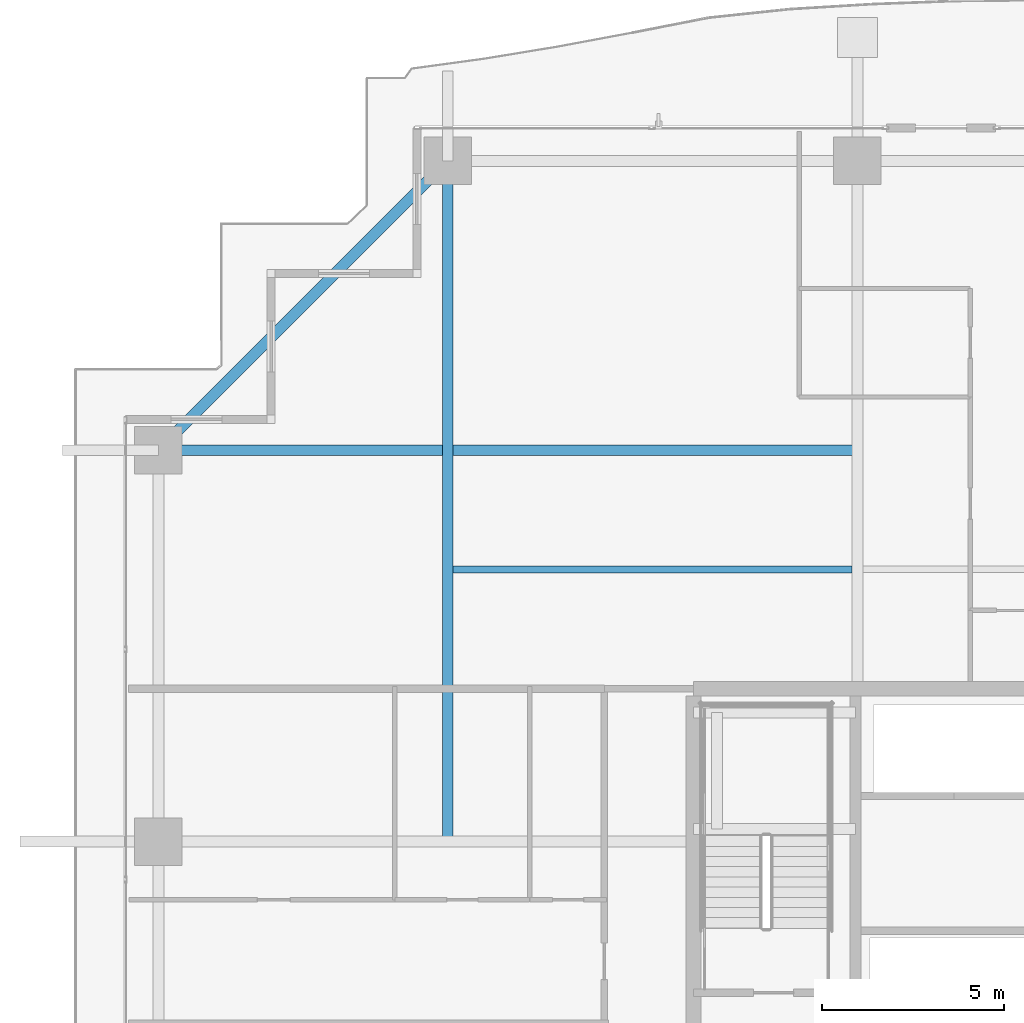
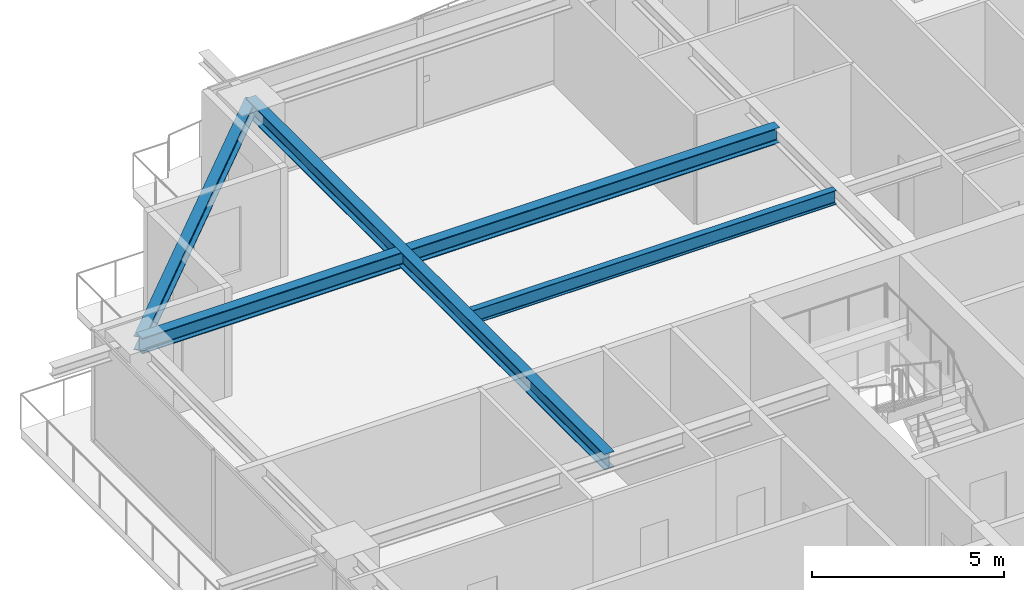
# One storey, part 16 of 34: 4 beams.
"""IFC4 building model written with IfcOpenShell, lengths in metres."""

from ifc_helpers import new_model, si_unit, direction, frame, origin, origin_2d, place, context, subcontext, project, spatial, i_section, extrude, source, transform, mapped, material, material_profile, profile_set, type_object, element, save


model = new_model("IFC4")

# Units and contexts
model_context = context("Model", 3, precision=1e-05, world=origin(), true_north=direction((0.0, 1.0)))
body_context = subcontext(model_context, "Body", "Model", "MODEL_VIEW")
ifc_project = project(units=[si_unit("LENGTHUNIT", "METRE"), si_unit("AREAUNIT", "SQUARE_METRE"), si_unit("VOLUMEUNIT", "CUBIC_METRE"), si_unit("PLANEANGLEUNIT", "RADIAN"), si_unit("MASSUNIT", "GRAM", prefix="KILO")], contexts=[model_context])

# Site, building, storey
site_placement = place(None, origin())
site = spatial("IfcSite", under=ifc_project, at=site_placement, CompositionType="ELEMENT")
building_placement = place(site_placement, origin())
building = spatial("IfcBuilding", under=site, at=building_placement, Name="Serunith Strait Residences", CompositionType="ELEMENT")
storey_placement = place(building_placement, frame((0.0, 0.0, 180.14990234375)))
storey = spatial("IfcBuildingStorey", under=building, at=storey_placement, Name="L45", CompositionType="ELEMENT", Elevation=180.14990234375)

# Beams
ifc_material = material(Name="Steel S355J2", Category="steel")
ifc_material_profile_1 = material_profile(ifc_material, i_section(OverallWidth=0.300048828125, OverallDepth=0.5, WebThickness=0.014404296875, FlangeThickness=0.028076171875, FilletRadius=0.027099609375, at=origin_2d()), Name="HEB 500")
ifc_profile_set_1 = profile_set([ifc_material_profile_1], Name="Steel S355J2")
beam_type_1 = type_object("IfcBeamType", Name="BM-HEB500", PredefinedType="BEAM", material=ifc_profile_set_1)
shared_shape_1 = source(origin(), body_context, "Body", "SweptSolid", [
    extrude(i_section(OverallWidth=0.300048828125, OverallDepth=0.5, WebThickness=0.014404296875, FlangeThickness=0.028076171875, FilletRadius=0.027099609375, at=origin_2d()), origin(), (0.0, 0.0, 1.0), 18.7001953125),
])
beam_1_placement = place(storey_placement, frame((16.64990234375, 29.39990234375, 3.237060546875), z_axis=(0.0, 1.0, 0.0), x_axis=(-1.0, 0.0, 0.0)))
element("IfcBeam", 1, at=beam_1_placement, inside=storey, type_object=beam_type_1, Name="L45 Orthogonal Corner Girder TC-N1", PredefinedType="BEAM", context=body_context, shape_type="MappedRepresentation", body=[
    mapped(shared_shape_1, transform((0.0, 0.0, 0.0), scale=1.0)),
])
shared_shape_2 = source(origin(), body_context, "Body", "SweptSolid", [
    extrude(i_section(OverallWidth=0.300048828125, OverallDepth=0.5, WebThickness=0.014404296875, FlangeThickness=0.028076171875, FilletRadius=0.027099609375, at=origin_2d()), origin(), (0.0, 0.0, 1.0), 19.199951171875),
])
beam_2_placement = place(storey_placement, frame((27.89990234375, 40.14990234375, 3.237060546875), z_axis=(-1.0, 0.0, 0.0), x_axis=(0.0, -1.0, 0.0)))
element("IfcBeam", 2, at=beam_2_placement, inside=storey, type_object=beam_type_1, Name="L45 Orthogonal Corner Girder TC-W4", PredefinedType="BEAM", context=body_context, shape_type="MappedRepresentation", body=[
    mapped(shared_shape_2, transform((0.0, 0.0, 0.0), scale=1.0)),
])
ifc_material_profile_2 = material_profile(ifc_material, i_section(OverallWidth=0.300048828125, OverallDepth=0.449951171875, WebThickness=0.013916015625, FlangeThickness=0.02587890625, FilletRadius=0.027099609375, at=origin_2d()), Name="HEB 450")
ifc_profile_set_2 = profile_set([ifc_material_profile_2], Name="Steel S355J2")
beam_type_2 = type_object("IfcBeamType", Name="BM-HEB450", PredefinedType="BEAM", material=ifc_profile_set_2)
shared_shape_3 = source(origin(), body_context, "Body", "SweptSolid", [
    extrude(i_section(OverallWidth=0.300048828125, OverallDepth=0.449951171875, WebThickness=0.013916015625, FlangeThickness=0.02587890625, FilletRadius=0.027099609375, at=origin_2d()), origin(), (0.0, 0.0, 1.0), 11.2431640625),
])
beam_3_placement = place(storey_placement, frame((16.64990234375, 48.10009765625, 3.232177734375), z_axis=(-0.707095923751, -0.707117638455, 0.0), x_axis=(0.707117638455, -0.707095923751, 0.0)))
element("IfcBeam", 3, at=beam_3_placement, inside=storey, type_object=beam_type_2, Name="L45 Perimeter Ring Beam 12", PredefinedType="BEAM", context=body_context, shape_type="MappedRepresentation", body=[
    mapped(shared_shape_3, transform((0.0, 0.0, 0.0), scale=1.0)),
])
ifc_material_profile_3 = material_profile(ifc_material, i_section(OverallWidth=0.18994140625, OverallDepth=0.449951171875, WebThickness=0.009521484375, FlangeThickness=0.0146484375, FilletRadius=0.02099609375, at=origin_2d()), Name="IPE 450")
ifc_profile_set_3 = profile_set([ifc_material_profile_3], Name="Steel S355J2")
beam_type_3 = type_object("IfcBeamType", Name="BM-IPE450", PredefinedType="JOIST", material=ifc_profile_set_3)
shared_shape_4 = source(origin(), body_context, "Body", "SweptSolid", [
    extrude(i_section(OverallWidth=0.18994140625, OverallDepth=0.449951171875, WebThickness=0.009521484375, FlangeThickness=0.0146484375, FilletRadius=0.02099609375, at=origin_2d()), origin(), (0.0, 0.0, 1.0), 10.949951171875),
])
beam_4_placement = place(storey_placement, frame((16.800048828125, 36.875, 3.26220703125), z_axis=(1.0, 0.0, 0.0), x_axis=(0.0, 1.0, 0.0)))
element("IfcBeam", 4, at=beam_4_placement, inside=storey, type_object=beam_type_3, Name="L45 Composite Floor Joist 04", PredefinedType="JOIST", context=body_context, shape_type="MappedRepresentation", body=[
    mapped(shared_shape_4, transform((0.0, 0.0, 0.0), scale=1.0)),
])

save(model, "model.ifc")
